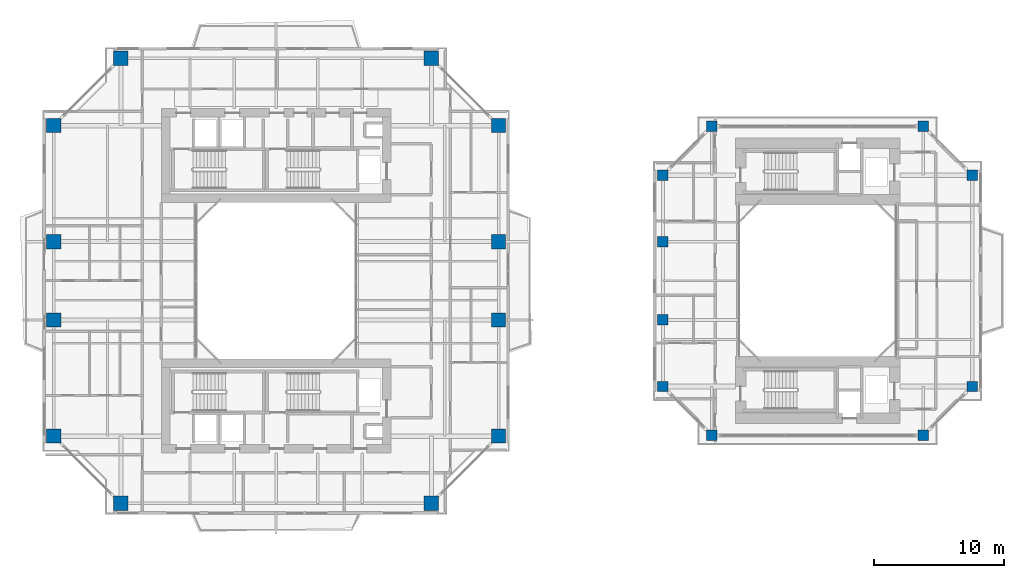
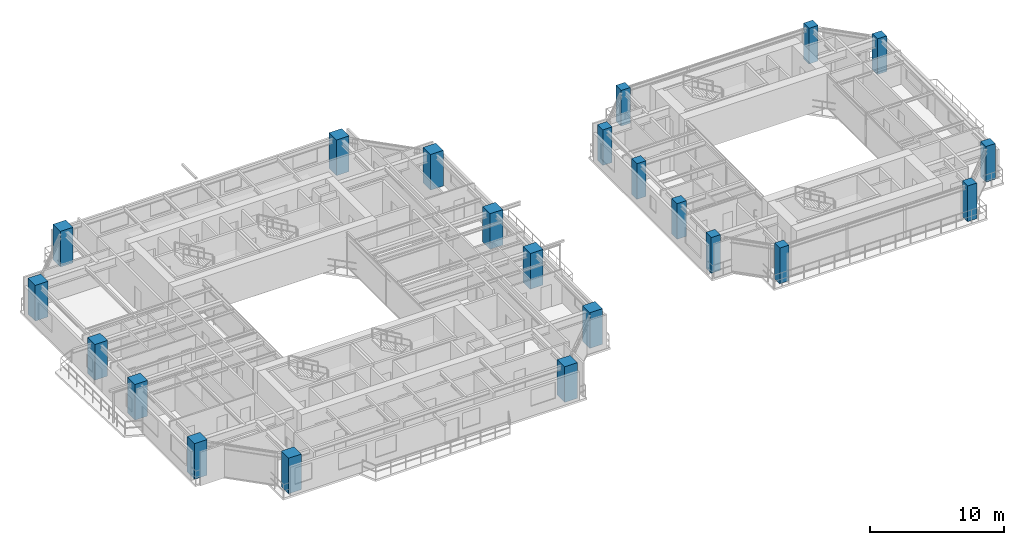
# One storey, part 1 of 24: 22 columns.
"""IFC4 building model written with IfcOpenShell, lengths in metres."""

from ifc_helpers import new_model, si_unit, direction, frame, origin, origin_2d, place, context, subcontext, project, spatial, rectangle, extrude, source, transform, mapped, material, material_profile, profile_set, type_object, element, save


model = new_model("IFC4")

# Units and contexts
model_context = context("Model", 3, precision=1e-05, world=origin(), true_north=direction((0.0, 1.0)))
body_context = subcontext(model_context, "Body", "Model", "MODEL_VIEW")
ifc_project = project(units=[si_unit("LENGTHUNIT", "METRE"), si_unit("AREAUNIT", "SQUARE_METRE"), si_unit("VOLUMEUNIT", "CUBIC_METRE"), si_unit("PLANEANGLEUNIT", "RADIAN"), si_unit("MASSUNIT", "GRAM", prefix="KILO"), si_unit("THERMODYNAMICTEMPERATUREUNIT", "KELVIN"), si_unit("POWERUNIT", "WATT")], contexts=[model_context])

# Site, building, storey
site_placement = place(None, origin())
site = spatial("IfcSite", under=ifc_project, at=site_placement, CompositionType="ELEMENT")
building_placement = place(site_placement, origin())
building = spatial("IfcBuilding", under=site, at=building_placement, Name="Qiaomeng Ring Towers", CompositionType="ELEMENT")
storey_placement = place(building_placement, frame((0.0, 0.0, 106.75)))
storey = spatial("IfcBuildingStorey", under=building, at=storey_placement, Name="L30", CompositionType="ELEMENT", Elevation=106.75)

# Columns
ifc_material = material(Name="Concrete C55", Category="concrete")
ifc_material_profile_1 = material_profile(ifc_material, rectangle(XDim=0.800048828125, YDim=0.800048828125, at=origin_2d()), Name="RC COL 800x800")
ifc_profile_set_1 = profile_set([ifc_material_profile_1], Name="Concrete C55")
column_type_1 = type_object("IfcColumnType", Name="STR-COL-800-C55", PredefinedType="COLUMN", material=ifc_profile_set_1)
shared_shape_1 = source(origin(), body_context, "Body", "SweptSolid", [
    extrude(rectangle(XDim=0.800048828125, YDim=0.800048828125, at=origin_2d()), origin(), (0.0, 0.0, 1.0), 3.25),
])
for number, where, z_axis, x_axis, name in (
    (1, (52.39990234375, 11.14990234375, 0.0), (0.0, 0.0, 1.0), (1.0, 0.0, 0.0), "L30 column STR-COL-L30-T2-S1"),
    (2, (68.60009765625, 11.14990234375, 0.0), (0.0, 0.0, 1.0), (1.0, 0.0, 0.0), "L30 column STR-COL-L30-T2-S2"),
    (3, (72.35009765625, 14.89990234375, 0.0), (0.0, 0.0, 1.0), (1.0, 0.0, 0.0), "L30 column STR-COL-L30-T2-E1"),
    (4, (72.35009765625, 31.10009765625, 0.0), (0.0, 0.0, 1.0), (1.0, 0.0, 0.0), "L30 column STR-COL-L30-T2-E2"),
    (5, (68.60009765625, 34.85009765625, 0.0), (0.0, 0.0, 1.0), (1.0, 0.0, 0.0), "L30 column STR-COL-L30-T2-N2"),
    (6, (52.39990234375, 34.85009765625, 0.0), (0.0, 0.0, 1.0), (1.0, 0.0, 0.0), "L30 column STR-COL-L30-T2-N1"),
    (7, (48.64990234375, 14.89990234375, 0.0), (0.0, 0.0, 1.0), (1.0, 0.0, 0.0), "L30 column STR-COL-L30-T2-W1"),
    (8, (48.64990234375, 20.0, 0.0), (0.0, 0.0, 1.0), (1.0, 0.0, 0.0), "L30 column STR-COL-L30-T2-W2"),
    (9, (48.64990234375, 26.0, 0.0), (0.0, 0.0, 1.0), (1.0, 0.0, 0.0), "L30 column STR-COL-L30-T2-W3"),
    (10, (48.64990234375, 31.10009765625, 0.0), (0.0, 0.0, 1.0), (1.0, 0.0, 0.0), "L30 column STR-COL-L30-T2-W4"),
):
    element("IfcColumn", number, at=place(storey_placement, frame(where, z_axis=z_axis, x_axis=x_axis)), inside=storey, type_object=column_type_1, Name=name, PredefinedType="COLUMN", context=body_context, shape_type="MappedRepresentation", body=[
        mapped(shared_shape_1, transform((0.0, 0.0, 0.0), x_axis=(1.0, 0.0, 0.0), y_axis=(0.0, 1.0, 0.0), z_axis=(0.0, 0.0, 1.0), scale=1.0)),
    ])
ifc_material_profile_2 = material_profile(ifc_material, rectangle(XDim=1.10009765625, YDim=1.10009765625, at=origin_2d()), Name="RC COL 1100x1100")
ifc_profile_set_2 = profile_set([ifc_material_profile_2], Name="Concrete C55")
column_type_2 = type_object("IfcColumnType", Name="STR-COL-1100-C55", PredefinedType="COLUMN", material=ifc_profile_set_2)
shared_shape_2 = source(origin(), body_context, "Body", "SweptSolid", [
    extrude(rectangle(XDim=1.10009765625, YDim=1.10009765625, at=origin_2d()), origin(), (0.0, 0.0, 1.0), 3.25),
])
for number, where, z_axis, x_axis, name in (
    (11, (7.10009765625, 5.949951171875, 0.0), (0.0, 0.0, 1.0), (1.0, 0.0, 0.0), "L30 column STR-COL-L30-T1-S1"),
    (12, (30.89990234375, 5.949951171875, 0.0), (0.0, 0.0, 1.0), (1.0, 0.0, 0.0), "L30 column STR-COL-L30-T1-S2"),
    (13, (36.050048828125, 11.10009765625, 0.0), (0.0, 0.0, 1.0), (1.0, 0.0, 0.0), "L30 column STR-COL-L30-T1-E1"),
    (14, (36.050048828125, 20.0, 0.0), (0.0, 0.0, 1.0), (1.0, 0.0, 0.0), "L30 column STR-COL-L30-T1-E2"),
    (15, (36.050048828125, 26.0, 0.0), (0.0, 0.0, 1.0), (1.0, 0.0, 0.0), "L30 column STR-COL-L30-T1-E3"),
    (16, (36.050048828125, 34.89990234375, 0.0), (0.0, 0.0, 1.0), (1.0, 0.0, 0.0), "L30 column STR-COL-L30-T1-E4"),
    (17, (30.89990234375, 40.050048828125, 0.0), (0.0, 0.0, 1.0), (1.0, 0.0, 0.0), "L30 column STR-COL-L30-T1-N2"),
    (18, (7.10009765625, 40.050048828125, 0.0), (0.0, 0.0, 1.0), (1.0, 0.0, 0.0), "L30 column STR-COL-L30-T1-N1"),
    (19, (1.949951171875, 34.89990234375, 0.0), (0.0, 0.0, 1.0), (1.0, 0.0, 0.0), "L30 column STR-COL-L30-T1-W4"),
    (20, (1.949951171875, 26.0, 0.0), (0.0, 0.0, 1.0), (1.0, 0.0, 0.0), "L30 column STR-COL-L30-T1-W3"),
    (21, (1.949951171875, 20.0, 0.0), (0.0, 0.0, 1.0), (1.0, 0.0, 0.0), "L30 column STR-COL-L30-T1-W2"),
    (22, (1.949951171875, 11.10009765625, 0.0), (0.0, 0.0, 1.0), (1.0, 0.0, 0.0), "L30 column STR-COL-L30-T1-W1"),
):
    element("IfcColumn", number, at=place(storey_placement, frame(where, z_axis=z_axis, x_axis=x_axis)), inside=storey, type_object=column_type_2, Name=name, PredefinedType="COLUMN", context=body_context, shape_type="MappedRepresentation", body=[
        mapped(shared_shape_2, transform((0.0, 0.0, 0.0), x_axis=(1.0, 0.0, 0.0), y_axis=(0.0, 1.0, 0.0), z_axis=(0.0, 0.0, 1.0), scale=1.0)),
    ])

save(model, "model.ifc")
